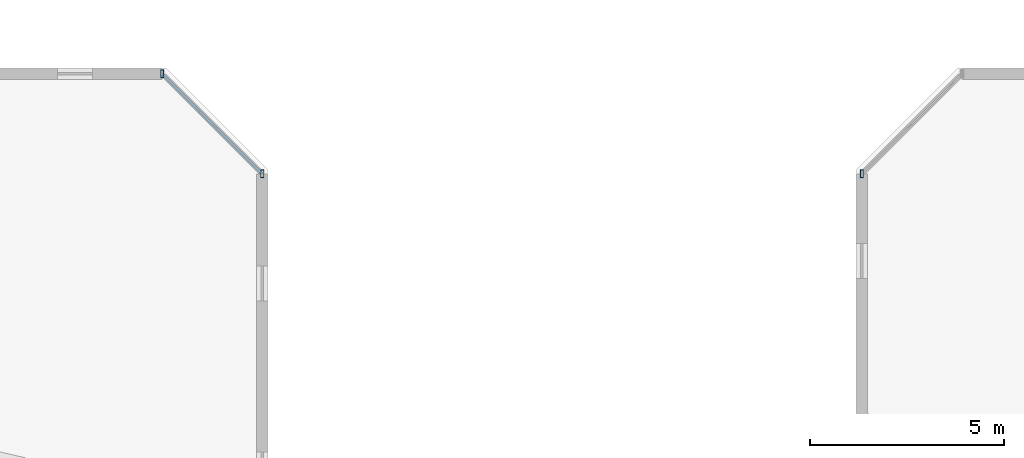
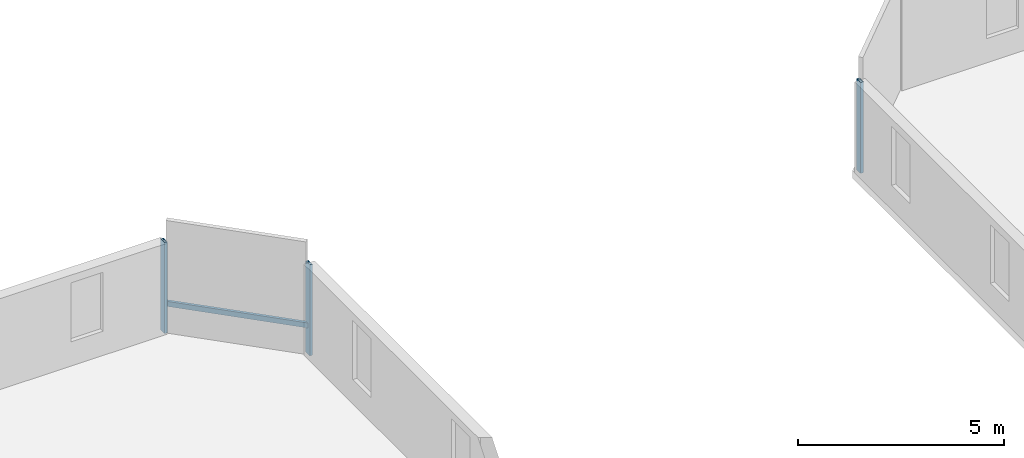
# One storey, part 10 of 33: 4 members, 2 elements without a shape of their own.
"""IFC4 building model written with IfcOpenShell, lengths in metres."""

from ifc_helpers import new_model, si_unit, direction, frame, origin, origin_2d, place, context, subcontext, project, spatial, hollow_rectangle, extrude, material, material_profile, profile_set, type_object, element, aggregate, save


model = new_model("IFC4")

# Units and contexts
model_context = context("Model", 3, precision=1e-05, world=origin(), true_north=direction((0.0, 1.0)))
body_context = subcontext(model_context, "Body", "Model", "MODEL_VIEW")
ifc_project = project(units=[si_unit("LENGTHUNIT", "METRE"), si_unit("AREAUNIT", "SQUARE_METRE"), si_unit("VOLUMEUNIT", "CUBIC_METRE"), si_unit("PLANEANGLEUNIT", "RADIAN"), si_unit("MASSUNIT", "GRAM", prefix="KILO")], contexts=[model_context])

# Site, building, storey
site_placement = place(None, origin())
site = spatial("IfcSite", under=ifc_project, at=site_placement, CompositionType="ELEMENT")
building_placement = place(site_placement, origin())
building = spatial("IfcBuilding", under=site, at=building_placement, Name="Thornwick Lancets Civic Towers", CompositionType="ELEMENT")
storey_placement = place(building_placement, frame((0.0, 0.0, 189.300048828125)))
storey = spatial("IfcBuildingStorey", under=building, at=storey_placement, Name="L50", CompositionType="ELEMENT", Elevation=189.300048828125)

# Curtain wall, members
ifc_material_1 = material(Name="Mid-zone chamfered-corner unitised glass curtain wall", Category="glass")
curtain_wall_type = type_object("IfcCurtainWallType", Name="CW_SYS_04", PredefinedType="NOTDEFINED", material=ifc_material_1)
curtain_wall_1_placement = place(storey_placement, origin())
curtain_wall_1 = element("IfcCurtainWall", 1, at=curtain_wall_1_placement, inside=storey, type_object=curtain_wall_type, Name="L50 Curtain Wall CW-L50-A-E3", PredefinedType="NOTDEFINED")
ifc_material_2 = material(Name="Thermally broken bronze aluminium S355", Category="steel")
ifc_material_profile_1 = material_profile(ifc_material_2, hollow_rectangle(XDim=0.080078125, YDim=0.199951171875, WallThickness=0.006103515625, at=origin_2d()), Name="RHS 200x80x6")
ifc_profile_set_1 = profile_set([ifc_material_profile_1], Name="Thermally broken bronze aluminium S355")
member_type_1 = type_object("IfcMemberType", Name="CW_MUL_200", PredefinedType="MULLION", material=ifc_profile_set_1)
member_1_placement = place(storey_placement, frame((49.2646484375, 48.181396484375, 0.0), z_axis=(0.0, 0.0, 1.0), x_axis=(1.0, 0.0, 0.0)))
member_1 = element("IfcMember", 2, at=member_1_placement, type_object=member_type_1, Name="CW-L50-A-E3 Mullion 0", PredefinedType="MULLION", context=body_context, shape_type="SweptSolid", body=[
    extrude(hollow_rectangle(XDim=0.080078125, YDim=0.199951171875, WallThickness=0.006103515625, at=origin_2d()), origin(), (0.0, 0.0, 1.0), 2.699951171875),
])
member_2_placement = place(storey_placement, frame((46.681396484375, 50.7646484375, 0.0), z_axis=(0.0, 0.0, 1.0), x_axis=(1.0, 0.0, 0.0)))
member_2 = element("IfcMember", 3, at=member_2_placement, type_object=member_type_1, Name="CW-L50-A-E3 Mullion 1", PredefinedType="MULLION", context=body_context, shape_type="SweptSolid", body=[
    extrude(hollow_rectangle(XDim=0.080078125, YDim=0.199951171875, WallThickness=0.006103515625, at=origin_2d()), origin(), (0.0, 0.0, 1.0), 2.699951171875),
])

# Curtain wall, member
curtain_wall_2_placement = place(storey_placement, origin())
curtain_wall_2 = element("IfcCurtainWall", 4, at=curtain_wall_2_placement, inside=storey, type_object=curtain_wall_type, Name="L50 Curtain Wall CW-L50-B-E5", PredefinedType="NOTDEFINED")
member_3_placement = place(storey_placement, frame((64.7353515625, 48.181396484375, 0.0), z_axis=(0.0, 0.0, 1.0), x_axis=(1.0, 0.0, 0.0)))
member_3 = element("IfcMember", 5, at=member_3_placement, type_object=member_type_1, Name="CW-L50-B-E5 Mullion 1", PredefinedType="MULLION", context=body_context, shape_type="SweptSolid", body=[
    extrude(hollow_rectangle(XDim=0.080078125, YDim=0.199951171875, WallThickness=0.006103515625, at=origin_2d()), origin(), (0.0, 0.0, 1.0), 2.699951171875),
])
aggregate(curtain_wall_2, [member_3])

# Member
ifc_material_profile_2 = material_profile(ifc_material_2, hollow_rectangle(XDim=0.074951171875, YDim=0.14990234375, WallThickness=0.0048828125, at=origin_2d()), Name="RHS 150x75x5")
ifc_profile_set_2 = profile_set([ifc_material_profile_2], Name="Thermally broken bronze aluminium S355")
member_type_2 = type_object("IfcMemberType", Name="CW_TRN_150", PredefinedType="USERDEFINED", material=ifc_profile_set_2)
member_4_placement = place(storey_placement, frame((49.25048828125, 48.195556640625, 0.849853515625), z_axis=(-0.707106781187, 0.707106781187, 0.0), x_axis=(-0.707106781187, -0.707106781187, 0.0)))
member_4 = element("IfcMember", 6, at=member_4_placement, type_object=member_type_2, Name="CW-L50-A-E3 Transom 0", ObjectType="TRANSOM", PredefinedType="USERDEFINED", context=body_context, shape_type="SweptSolid", body=[
    extrude(hollow_rectangle(XDim=0.074951171875, YDim=0.14990234375, WallThickness=0.0048828125, at=origin_2d()), origin(), (0.0, 0.0, 1.0), 3.61328125),
])

aggregate(curtain_wall_1, [member_1, member_2, member_4])

save(model, "model.ifc")
